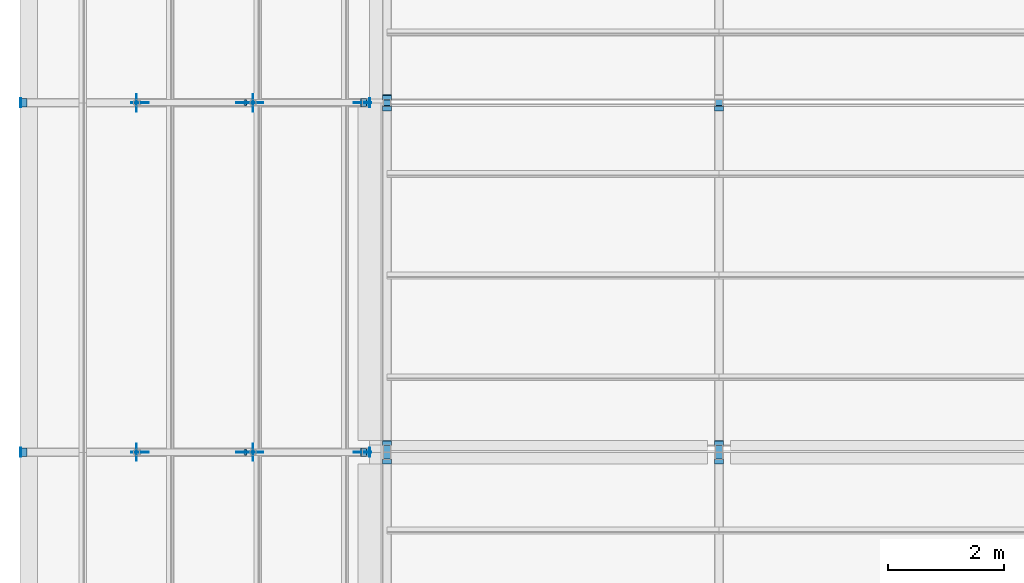
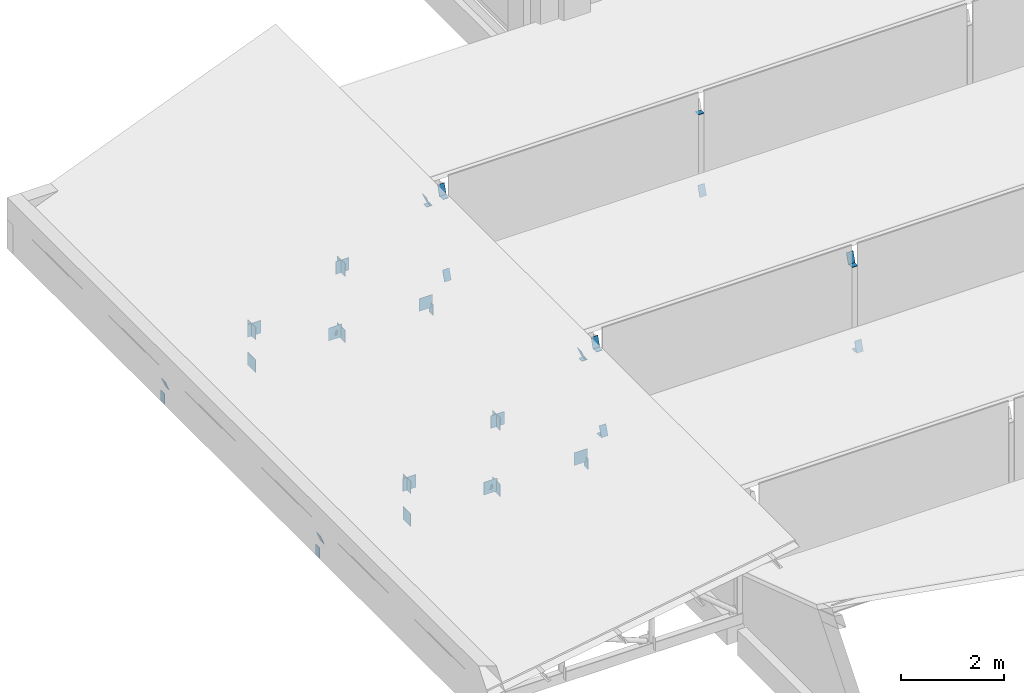
# One storey, part 82 of 118: 41 discrete accessories.
"""IFC4 building model written with IfcOpenShell, lengths in metres."""

from ifc_helpers import new_model, si_unit, direction, frame, origin, origin_2d, place, context, subcontext, project, spatial, rectangle, circle, extrude, material, material_profile, profile_set, type_object, element, save


model = new_model("IFC4")

# Units and contexts
model_context = context("Model", 3, precision=1e-05, world=origin(), true_north=direction((0.0, 1.0)))
body_context = subcontext(model_context, "Body", "Model", "MODEL_VIEW")
ifc_project = project(units=[si_unit("LENGTHUNIT", "METRE"), si_unit("AREAUNIT", "SQUARE_METRE"), si_unit("VOLUMEUNIT", "CUBIC_METRE"), si_unit("PLANEANGLEUNIT", "RADIAN"), si_unit("MASSUNIT", "GRAM", prefix="KILO")], contexts=[model_context])

# Site, building, storey
site_placement = place(None, origin())
site = spatial("IfcSite", under=ifc_project, at=site_placement, CompositionType="ELEMENT")
building_placement = place(site_placement, origin())
building = spatial("IfcBuilding", under=site, at=building_placement, Name="Saffron Lane Theatres", CompositionType="ELEMENT")
storey_placement = place(building_placement, frame((0.0, 0.0, 16.5)))
storey = spatial("IfcBuildingStorey", under=building, at=storey_placement, Name="L03", CompositionType="ELEMENT", Elevation=16.5)

# Discrete accessories
ifc_material_1 = material(Name="Steel Grade 350", Category="steel")
ifc_material_profile_1 = material_profile(ifc_material_1, rectangle(XDim=0.300048828125, YDim=0.300048828125, at=origin_2d()))
ifc_profile_set_1 = profile_set([ifc_material_profile_1], Name="Steel Grade 350")
discrete_accessory_type_1 = type_object("IfcDiscreteAccessoryType", Name="ST-GUSSET CONNECTION PLATE", PredefinedType="BRACKET", material=ifc_profile_set_1)
for number, where, z_axis, x_axis, name in (
    (1, (1.9951171875, 18.0, 0.25), (1.0, 0.0, 0.0), (0.0, 1.0, 0.0), "GB193"),
    (2, (1.9951171875, 18.0, 1.022216796875), (1.0, 0.0, 0.0), (0.0, 1.0, 0.0), "GB194"),
    (3, (3.9951171875, 18.0, 0.25), (1.0, 0.0, 0.0), (0.0, 1.0, 0.0), "GB195"),
    (4, (3.9951171875, 18.0, 1.8173828125), (1.0, 0.0, 0.0), (0.0, 1.0, 0.0), "GB196"),
    (5, (5.8837890625, 17.9951171875, 0.294189453125), (0.0, 1.0, 0.0), (-1.0, 0.0, 0.0), "GB197"),
    (6, (4.0244140625, 17.9951171875, 1.820068359375), (0.0, 1.0, 0.0), (-1.0, 0.0, 0.0), "GB198"),
    (7, (3.866455078125, 17.9951171875, 0.30322265625), (0.0, 1.0, 0.0), (-1.0, 0.0, 0.0), "GB199"),
    (8, (2.05615234375, 17.9951171875, 1.022705078125), (0.0, 1.0, 0.0), (-1.0, 0.0, 0.0), "GB200"),
    (9, (1.9951171875, 24.0, 0.25), (1.0, 0.0, 0.0), (0.0, 1.0, 0.0), "GB201"),
    (10, (1.9951171875, 24.0, 1.022216796875), (1.0, 0.0, 0.0), (0.0, 1.0, 0.0), "GB202"),
    (11, (3.9951171875, 24.0, 0.25), (1.0, 0.0, 0.0), (0.0, 1.0, 0.0), "GB203"),
    (12, (3.9951171875, 24.0, 1.8173828125), (1.0, 0.0, 0.0), (0.0, 1.0, 0.0), "GB204"),
    (13, (5.8837890625, 23.9951171875, 0.294189453125), (0.0, 1.0, 0.0), (-1.0, 0.0, 0.0), "GB205"),
    (14, (4.0244140625, 23.9951171875, 1.820068359375), (0.0, 1.0, 0.0), (-1.0, 0.0, 0.0), "GB206"),
    (15, (3.866455078125, 23.9951171875, 0.30322265625), (0.0, 1.0, 0.0), (-1.0, 0.0, 0.0), "GB207"),
    (16, (2.05615234375, 23.9951171875, 1.022705078125), (0.0, 1.0, 0.0), (-1.0, 0.0, 0.0), "GB208"),
):
    element("IfcDiscreteAccessory", number, at=place(storey_placement, frame(where, z_axis=z_axis, x_axis=x_axis)), inside=storey, type_object=discrete_accessory_type_1, Name=name, PredefinedType="BRACKET", context=body_context, shape_type="SweptSolid", body=[
        extrude(rectangle(XDim=0.300048828125, YDim=0.300048828125, at=origin_2d()), origin(), (0.0, 0.0, 1.0), 0.009765625),
    ])
ifc_material_2 = material(Name="Steel Grade 350", Category="steel")
ifc_material_profile_2 = material_profile(ifc_material_2, circle(Radius=0.05712890625, at=origin_2d()))
ifc_profile_set_2 = profile_set([ifc_material_profile_2], Name="Steel Grade 350")
discrete_accessory_type_2 = type_object("IfcDiscreteAccessoryType", Name="ST-STEEL END CAP 114.3x6.0 CHS", PredefinedType="ANCHORPLATE", material=ifc_profile_set_2)
for number, where, z_axis, x_axis, name in (
    (17, (3.87744140625, 18.0, 0.298583984375), (-0.921249561411, 0.0, 0.38897203704), (0.0, -1.0, 0.0), "EC280"),
    (18, (3.87744140625, 24.0, 0.298583984375), (-0.921249561411, 0.0, 0.38897203704), (0.0, -1.0, 0.0), "EC286"),
):
    element("IfcDiscreteAccessory", number, at=place(storey_placement, frame(where, z_axis=z_axis, x_axis=x_axis)), inside=storey, type_object=discrete_accessory_type_2, Name=name, PredefinedType="ANCHORPLATE", context=body_context, shape_type="SweptSolid", body=[
        extrude(circle(Radius=0.05712890625, at=origin_2d()), origin(), (0.0, 0.0, 1.0), 0.011962890625),
    ])
ifc_material_3 = material(Name="Steel Grade 350", Category="steel")
ifc_material_profile_3 = material_profile(ifc_material_3, rectangle(XDim=0.125, YDim=0.125, at=origin_2d()))
ifc_profile_set_3 = profile_set([ifc_material_profile_3], Name="Steel Grade 350")
discrete_accessory_type_3 = type_object("IfcDiscreteAccessoryType", Name="ST-STEEL END CAP 125x125x6 SHS", PredefinedType="ANCHORPLATE", material=ifc_profile_set_3)
for number, where, z_axis, x_axis, name in (
    (19, (6.300048828125, 17.9375, 0.720703125), (0.0, 0.0, 1.0), (1.0, 0.0, 0.0), "EC159"),
    (20, (12.0, 17.9375, 0.720703125), (0.0, 0.0, 1.0), (1.0, 0.0, 0.0), "EC170"),
    (21, (6.300048828125, 18.0625, 2.638671875), (0.0, 0.0, 1.0), (1.0, 0.0, 0.0), "EC208"),
    (22, (6.300048828125, 24.0, 2.638671875), (0.0, 0.0, 1.0), (1.0, 0.0, 0.0), "EC211"),
    (23, (12.0, 18.0625, 2.638671875), (0.0, 0.0, 1.0), (1.0, 0.0, 0.0), "EC216"),
    (24, (12.0, 24.0, 2.638671875), (0.0, 0.0, 1.0), (1.0, 0.0, 0.0), "EC219"),
    (25, (5.9375, 18.0, 2.58544921875), (0.0, 0.0, 1.0), (1.0, 0.0, 0.0), "EC279"),
    (26, (5.9375, 24.0, 2.58544921875), (0.0, 0.0, 1.0), (1.0, 0.0, 0.0), "EC285"),
):
    element("IfcDiscreteAccessory", number, at=place(storey_placement, frame(where, z_axis=z_axis, x_axis=x_axis)), inside=storey, type_object=discrete_accessory_type_3, Name=name, PredefinedType="ANCHORPLATE", context=body_context, shape_type="SweptSolid", body=[
        extrude(rectangle(XDim=0.125, YDim=0.125, at=origin_2d()), origin(), (0.0, 0.0, 1.0), 0.011962890625),
    ])
ifc_material_4 = material(Name="Steel Grade 350", Category="steel")
ifc_material_profile_4 = material_profile(ifc_material_4, rectangle(XDim=0.14990234375, YDim=0.25, at=origin_2d()))
ifc_profile_set_4 = profile_set([ifc_material_profile_4], Name="Steel Grade 350")
discrete_accessory_type_4 = type_object("IfcDiscreteAccessoryType", Name="ST-STEEL END CAP 250x150x9 RHS", PredefinedType="ANCHORPLATE", material=ifc_profile_set_4)
for number, where, z_axis, x_axis, name in (
    (27, (6.300048828125, 17.8359375, 0.865234375), (0.0, 0.944496796706, -0.328520624941), (-1.0, 0.0, 0.0), "EC161"),
    (28, (12.0, 17.8359375, 0.865234375), (0.0, 0.944496796706, -0.328520624941), (-1.0, 0.0, 0.0), "EC172"),
):
    element("IfcDiscreteAccessory", number, at=place(storey_placement, frame(where, z_axis=z_axis, x_axis=x_axis)), inside=storey, type_object=discrete_accessory_type_4, Name=name, PredefinedType="ANCHORPLATE", context=body_context, shape_type="SweptSolid", body=[
        extrude(rectangle(XDim=0.14990234375, YDim=0.25, at=origin_2d()), origin(), (0.0, 0.0, 1.0), 0.011962890625),
    ])
discrete_accessory_1_placement = place(storey_placement, frame((6.300048828125, 18.15283203125, 2.76123046875), z_axis=(0.0, 0.950729839481, -0.310020599831), x_axis=(-1.0, 0.0, 0.0)))
element("IfcDiscreteAccessory", 29, at=discrete_accessory_1_placement, inside=storey, type_object=discrete_accessory_type_4, Name="EC209", PredefinedType="ANCHORPLATE", context=body_context, shape_type="SweptSolid", body=[
    extrude(rectangle(XDim=0.14990234375, YDim=0.25, at=origin_2d()), origin(), (0.0, 0.0, 1.0), 0.01171875),
])
discrete_accessory_2_placement = place(storey_placement, frame((6.300048828125, 23.8984375, 0.865234375), z_axis=(0.0, 0.944496796706, -0.328520624941), x_axis=(-1.0, 0.0, 0.0)))
element("IfcDiscreteAccessory", 30, at=discrete_accessory_2_placement, inside=storey, type_object=discrete_accessory_type_4, Name="EC210", PredefinedType="ANCHORPLATE", context=body_context, shape_type="SweptSolid", body=[
    extrude(rectangle(XDim=0.14990234375, YDim=0.25, at=origin_2d()), origin(), (0.0, 0.0, 1.0), 0.011962890625),
])
for number, where, z_axis, x_axis, name in (
    (31, (6.300048828125, 24.09033203125, 2.76123046875), (0.0, 0.950729839481, -0.310020599831), (-1.0, 0.0, 0.0), "EC213"),
    (32, (12.0, 18.15283203125, 2.76123046875), (0.0, 0.950729839481, -0.310020599831), (-1.0, 0.0, 0.0), "EC217"),
):
    element("IfcDiscreteAccessory", number, at=place(storey_placement, frame(where, z_axis=z_axis, x_axis=x_axis)), inside=storey, type_object=discrete_accessory_type_4, Name=name, PredefinedType="ANCHORPLATE", context=body_context, shape_type="SweptSolid", body=[
        extrude(rectangle(XDim=0.14990234375, YDim=0.25, at=origin_2d()), origin(), (0.0, 0.0, 1.0), 0.01171875),
    ])
for number, where, z_axis, x_axis, name in (
    (33, (12.0, 23.8984375, 0.865234375), (0.0, 0.944496796706, -0.328520624941), (-1.0, 0.0, 0.0), "EC218"),
    (34, (0.008056640625, 18.0, 0.125), (1.0, 0.0, 0.0), (0.0, 1.0, 0.0), "EC275"),
    (35, (6.0, 18.0, 0.125), (1.0, 0.0, 0.0), (0.0, 1.0, 0.0), "EC276"),
    (36, (0.06494140625, 18.0, 0.410400390625), (0.931242779706, 0.0, 0.364399348581), (0.0, 1.0, 0.0), "EC277"),
    (37, (5.891357421875, 18.0, 2.726318359375), (0.931242779706, 0.0, 0.364399348581), (0.0, 1.0, 0.0), "EC278"),
    (38, (0.008056640625, 24.0, 0.125), (1.0, 0.0, 0.0), (0.0, 1.0, 0.0), "EC281"),
    (39, (6.0, 24.0, 0.125), (1.0, 0.0, 0.0), (0.0, 1.0, 0.0), "EC282"),
    (40, (0.06494140625, 24.0, 0.410400390625), (0.931242779706, 0.0, 0.364399348581), (0.0, 1.0, 0.0), "EC283"),
    (41, (5.891357421875, 24.0, 2.726318359375), (0.931242779706, 0.0, 0.364399348581), (0.0, 1.0, 0.0), "EC284"),
):
    element("IfcDiscreteAccessory", number, at=place(storey_placement, frame(where, z_axis=z_axis, x_axis=x_axis)), inside=storey, type_object=discrete_accessory_type_4, Name=name, PredefinedType="ANCHORPLATE", context=body_context, shape_type="SweptSolid", body=[
        extrude(rectangle(XDim=0.14990234375, YDim=0.25, at=origin_2d()), origin(), (0.0, 0.0, 1.0), 0.011962890625),
    ])

save(model, "model.ifc")
